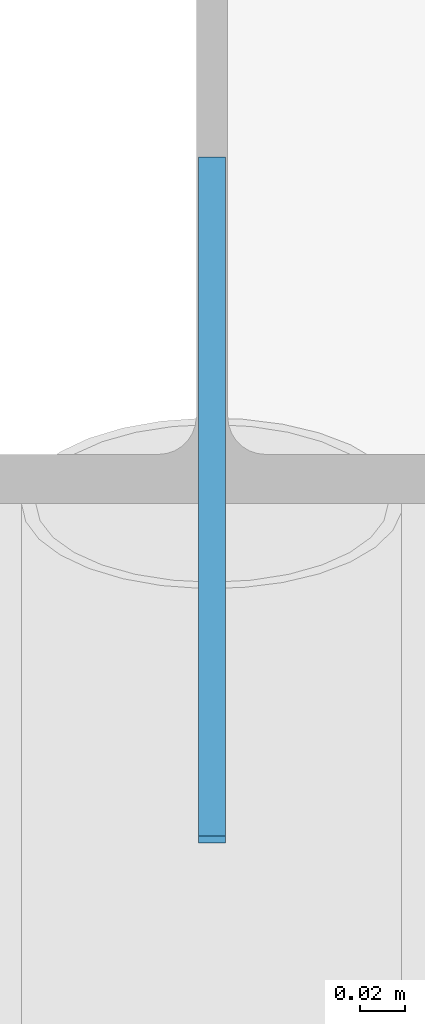
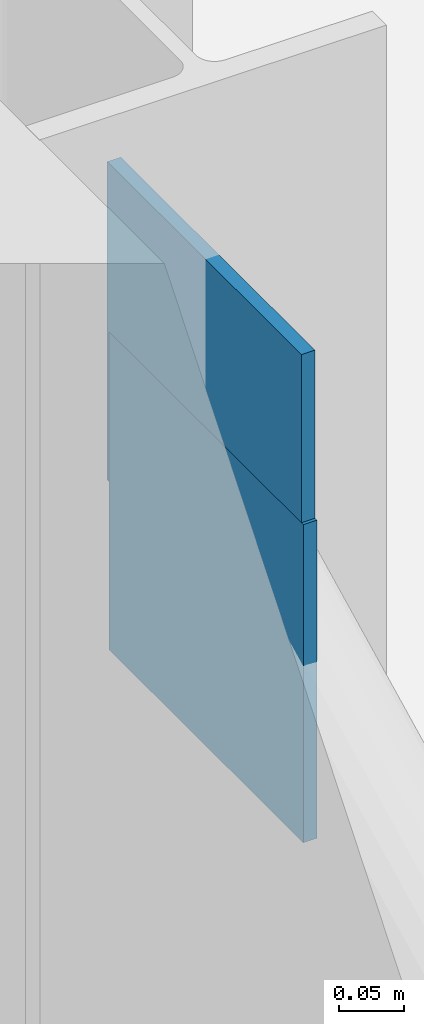
# One storey, part 51 of 74: 2 discrete accessories.
"""IFC4 building model written with IfcOpenShell, lengths in metres."""

import ifcopenshell
import ifcopenshell.guid

model = None  # the IFC model being written
_history = None  # IfcOwnerHistory: only IFC2X3 demands one
_inside = {}  # id of a spatial element -> (the spatial element, [elements in it])
_under = {}  # id of a project, library or spatial element -> (it, [spatial elements below it])
_declared = {}  # id of a project -> (the project, [libraries it declares])
_typed = {}  # id of a type object -> (the type object, [elements of that type])
_made_of = {}  # id of a material, layer set ... -> (it, [elements and type objects made of it])


def new_model(schema):
    """Start an empty IFC model of exactly this schema.

    Asked for "IFC4X3", IfcOpenShell would pick the latest addendum, in which some entities
    have other attributes; the version numbers below select the first issue.
    IFC2X3 requires an IfcOwnerHistory on every rooted entity: one is made here for all.
    """
    global model, _history
    if schema == "IFC4X3":
        model = ifcopenshell.file(schema_version=(4, 3, 0, 0))
    else:
        model = ifcopenshell.file(schema=schema)
    _inside.clear()
    _under.clear()
    _declared.clear()
    _typed.clear()
    _made_of.clear()
    _history = None
    if model.schema == "IFC2X3":
        org = make("IfcOrganization", Name="unknown")
        user = make(
            "IfcPersonAndOrganization",
            ThePerson=make("IfcPerson", FamilyName="unknown"),
            TheOrganization=org,
        )
        app = make(
            "IfcApplication",
            ApplicationDeveloper=org,
            Version="unknown",
            ApplicationFullName="unknown",
            ApplicationIdentifier="unknown",
        )
        _history = make(
            "IfcOwnerHistory",
            OwningUser=user,
            OwningApplication=app,
            ChangeAction="ADDED",
            CreationDate=0,
        )
    return model


def make(cls, **values):
    """One entity of the class cls with the attributes given. An attribute that is None is left unset."""
    return model.create_entity(
        cls, **{name: value for name, value in values.items() if value is not None}
    )


def rooted(cls, **values):
    """An entity with a GlobalId (a new one), such as an element, a storey or a relation."""
    return make(cls, GlobalId=ifcopenshell.guid.new(), OwnerHistory=_history, **values)


def si_unit(unit_type, name, prefix=None):
    """IfcSIUnit, for example si_unit("LENGTHUNIT", "METRE", prefix="MILLI")."""
    return make("IfcSIUnit", UnitType=unit_type, Prefix=prefix, Name=name)


def assignment(units):
    """IfcUnitAssignment: the units of a project."""
    return None if units is None else make("IfcUnitAssignment", Units=units)


def point(xyz):
    """IfcCartesianPoint."""
    return None if xyz is None else make("IfcCartesianPoint", Coordinates=xyz)


def direction(xyz):
    """IfcDirection."""
    return None if xyz is None else make("IfcDirection", DirectionRatios=xyz)


def frame(location, z_axis=None, x_axis=None):
    """IfcAxis2Placement3D, a coordinate frame: its origin and axes. An axis left out is left unset."""
    return make(
        "IfcAxis2Placement3D",
        Location=point(location),
        Axis=direction(z_axis),
        RefDirection=direction(x_axis),
    )


def frame_2d(location, x_axis=None):
    """IfcAxis2Placement2D, a coordinate frame in the plane: its origin and x axis."""
    return make(
        "IfcAxis2Placement2D", Location=point(location), RefDirection=direction(x_axis)
    )


def origin():
    """The frame at (0, 0, 0) with its axes left unset."""
    return frame((0.0, 0.0, 0.0))


def origin_2d():
    """The frame at (0, 0) in the plane with its x axis left unset."""
    return frame_2d((0.0, 0.0))


def place(relative_to, where):
    """IfcLocalPlacement: puts the frame where relative to a parent placement (None: the world)."""
    return make(
        "IfcLocalPlacement", PlacementRelTo=relative_to, RelativePlacement=where
    )


def context(
    kind, dimensions, precision=None, world=None, true_north=None, identifier=None
):
    """IfcGeometricRepresentationContext, for example the 3D "Model" context."""
    return make(
        "IfcGeometricRepresentationContext",
        ContextIdentifier=identifier,
        ContextType=kind,
        CoordinateSpaceDimension=dimensions,
        Precision=precision,
        WorldCoordinateSystem=world,
        TrueNorth=true_north,
    )


def subcontext(parent, identifier, kind, view, scale=None):
    """IfcGeometricRepresentationSubContext, for example "Body" below "Model"."""
    return make(
        "IfcGeometricRepresentationSubContext",
        ContextIdentifier=identifier,
        ContextType=kind,
        ParentContext=parent,
        TargetScale=scale,
        TargetView=view,
    )


def project(units=None, contexts=None):
    """IfcProject with its units and contexts."""
    return rooted(
        "IfcProject",
        Name="project",
        RepresentationContexts=contexts,
        UnitsInContext=assignment(units),
    )


def spatial(cls, under=None, at=None, **own):
    """A site, building, storey or space (cls), placed at a placement, below another one or the project."""
    s = rooted(cls, ObjectPlacement=at, **own)
    if under is not None:
        _under.setdefault(under.id(), (under, []))[1].append(s)
    return s


def profile(cls, at=None, kind="AREA", **sizes):
    """A parametric profile (cls). Its sizes go by their IFC names, for example OverallWidth=200.0."""
    return make(cls, ProfileType=kind, Position=at, **sizes)


def rectangle(**sizes):
    """IfcRectangleProfileDef."""
    return profile("IfcRectangleProfileDef", **sizes)


def extrude(swept, where, along, depth):
    """IfcExtrudedAreaSolid: the profile swept, set in the frame where, extruded along a direction by depth."""
    return make(
        "IfcExtrudedAreaSolid",
        SweptArea=swept,
        Position=where,
        ExtrudedDirection=direction(along),
        Depth=depth,
    )


def shape(context_of_items, identifier, shape_type, items):
    """IfcShapeRepresentation: the items that make up one representation, for example the "Body"."""
    return make(
        "IfcShapeRepresentation",
        ContextOfItems=context_of_items,
        RepresentationIdentifier=identifier,
        RepresentationType=shape_type,
        Items=items,
    )


def material(Name=None, Category=None):
    """IfcMaterial."""
    return make("IfcMaterial", Name=Name, Category=Category)


def made_of(thing, what):
    """Note that an element or type object is made of a material, layer set ...; save() writes the relation."""
    if what is not None:
        _made_of.setdefault(what.id(), (what, []))[1].append(thing)
    return thing


def type_object(cls, material=None, **own):
    """A type object (cls), such as IfcWallType, which elements share."""
    return made_of(rooted(cls, **own), material)


def element(
    cls,
    number,
    at=None,
    inside=None,
    cuts=None,
    type_object=None,
    material=None,
    context=None,
    identifier="Body",
    shape_type=None,
    held_by="IfcProductDefinitionShape",
    body=None,
    shapes=None,
    **own,
):
    """One element of the class cls, such as IfcWall. Its Tag is "e" and its number.

    at: its placement. inside: the storey or other place that contains it. cuts: it is an
    opening in that element (IfcRelVoidsElement). A single representation is given by context,
    identifier, shape_type and body (its items); several are given by shapes. held_by: the class
    of the entity that holds the representations. save() writes the other relations.
    """
    e = rooted(cls, Tag="e%d" % number, ObjectPlacement=at, **own)
    if body is not None:
        shapes = [shape(context, identifier, shape_type, body)]
    if shapes is not None:
        e.Representation = make(held_by, Representations=shapes)
    if inside is not None:
        _inside.setdefault(inside.id(), (inside, []))[1].append(e)
    if cuts is not None:
        rooted(
            "IfcRelVoidsElement", RelatingBuildingElement=cuts, RelatedOpeningElement=e
        )
    if type_object is not None:
        _typed.setdefault(type_object.id(), (type_object, []))[1].append(e)
    return made_of(e, material)


def aggregate(whole, parts):
    """IfcRelAggregates: a whole, such as a stair, and the parts it consists of."""
    return rooted("IfcRelAggregates", RelatingObject=whole, RelatedObjects=parts)


def save(model, path):
    """Write the relations noted so far, then the file.

    IfcRelAggregates (storeys below a building ...), IfcRelContainedInSpatialStructure (elements
    in a storey), IfcRelDefinesByType, IfcRelAssociatesMaterial and IfcRelDeclares: one each for
    every whole, place, type object, material and project.
    """
    for whole, parts in _under.values():
        aggregate(whole, parts)
    for where, things in _inside.values():
        rooted(
            "IfcRelContainedInSpatialStructure",
            RelatedElements=things,
            RelatingStructure=where,
        )
    for kind, things in _typed.values():
        rooted("IfcRelDefinesByType", RelatedObjects=things, RelatingType=kind)
    for what, things in _made_of.values():
        rooted("IfcRelAssociatesMaterial", RelatedObjects=things, RelatingMaterial=what)
    for by, libraries in _declared.values():
        rooted("IfcRelDeclares", RelatingContext=by, RelatedDefinitions=libraries)
    model.write(path)


model = new_model("IFC4")

# Units and contexts
model_context = context("Model", 3, precision=1e-05, world=origin(), true_north=direction((0.0, 1.0)))
body_context = subcontext(model_context, "Body", "Model", "MODEL_VIEW")
ifc_project = project(units=[si_unit("LENGTHUNIT", "METRE"), si_unit("AREAUNIT", "SQUARE_METRE"), si_unit("VOLUMEUNIT", "CUBIC_METRE"), si_unit("PLANEANGLEUNIT", "RADIAN"), si_unit("MASSUNIT", "GRAM", prefix="KILO")], contexts=[model_context])

# Site, building, storey
site_placement = place(None, origin())
site = spatial("IfcSite", under=ifc_project, at=site_placement, CompositionType="ELEMENT")
building_placement = place(site_placement, origin())
building = spatial("IfcBuilding", under=site, at=building_placement, Name="Hortulan Conservatory and Botanical Research Centre", CompositionType="ELEMENT")
storey_placement = place(building_placement, frame((0.0, 0.0, 6.0)))
storey = spatial("IfcBuildingStorey", under=building, at=storey_placement, Name="L01", CompositionType="ELEMENT", Elevation=6.0)

# Discrete accessories
ifc_material = material(Name="Steel Grade 300 plate (AS/NZS 3678, 280 MPa minimum yield)", Category="steel")
discrete_accessory_type = type_object("IfcDiscreteAccessoryType", Name="End Plate 300x12", PredefinedType="BRACKET", material=ifc_material)
for number, where, z_axis, x_axis, name in (
    (1, (0.0, 62.839599609375, 3.8759765625), (0.0, 0.0, 1.0), (0.0, -1.0, 0.0), "Brace end plate"),
    (2, (0.0, 62.842529296875, 4.03466796875), (0.0, 0.0, 1.0), (0.0, -1.0, 0.0), "Brace end plate"),
):
    element("IfcDiscreteAccessory", number, at=place(storey_placement, frame(where, z_axis=z_axis, x_axis=x_axis)), inside=storey, type_object=discrete_accessory_type, Name=name, PredefinedType="BRACKET", context=body_context, shape_type="SweptSolid", body=[
        extrude(rectangle(XDim=0.300048828125, YDim=0.011962890625, at=origin_2d()), origin(), (0.0, 0.0, 1.0), 0.300048828125),
    ])

save(model, "model.ifc")
